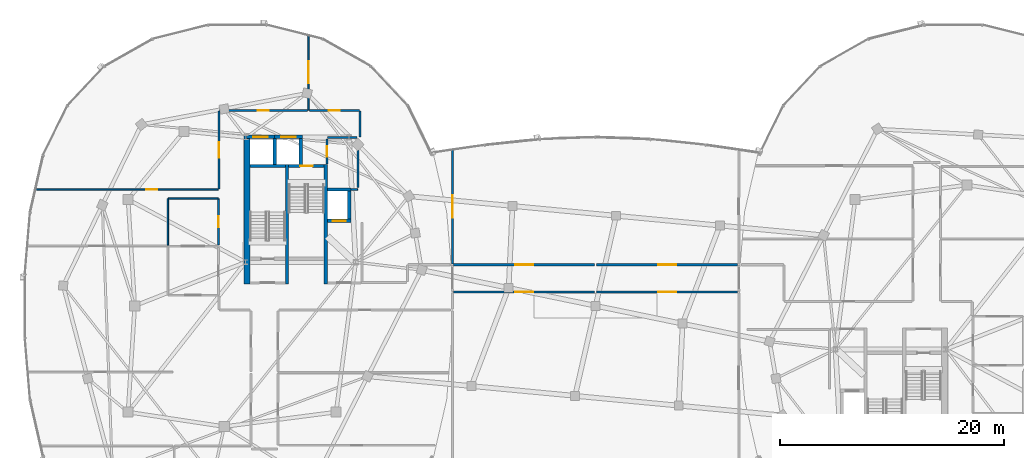
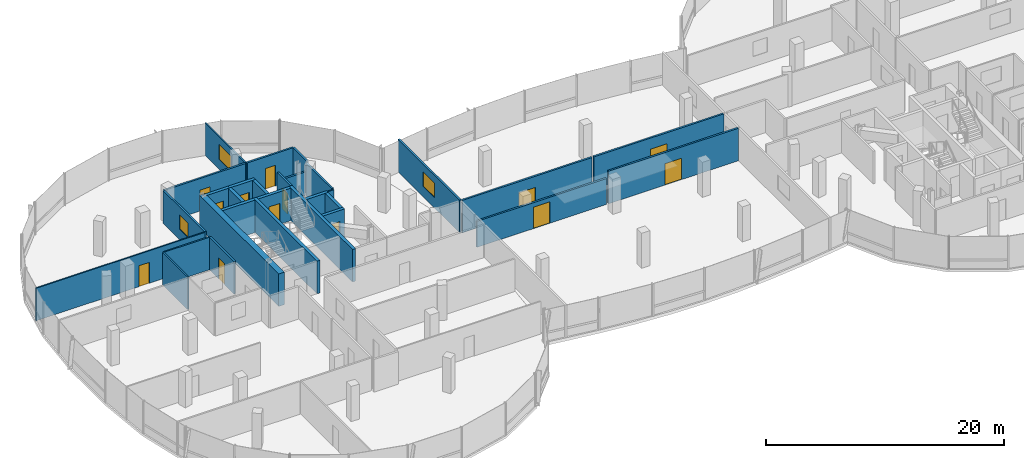
# One storey, part 15 of 26: 30 walls, 13 doors, 3 windows, 16 openings.
"""IFC4 building model written with IfcOpenShell, lengths in metres."""

from ifc_helpers import new_model, si_unit, direction, frame, frame_2d, origin, place, context, subcontext, project, spatial, rectangle, extrude, material, layer, layer_set, type_object, element, fill, save


model = new_model("IFC4")

# Units and contexts
model_context = context("Model", 3, precision=1e-05, world=origin(), true_north=direction((0.0, 1.0)))
body_context = subcontext(model_context, "Body", "Model", "MODEL_VIEW")
ifc_project = project(units=[si_unit("LENGTHUNIT", "METRE"), si_unit("AREAUNIT", "SQUARE_METRE"), si_unit("VOLUMEUNIT", "CUBIC_METRE"), si_unit("PLANEANGLEUNIT", "RADIAN"), si_unit("MASSUNIT", "GRAM", prefix="KILO"), si_unit("THERMODYNAMICTEMPERATUREUNIT", "KELVIN"), si_unit("POWERUNIT", "WATT")], contexts=[model_context])

# Site, building, storey
site_placement = place(None, origin())
site = spatial("IfcSite", under=ifc_project, at=site_placement, CompositionType="ELEMENT")
building_placement = place(site_placement, origin())
building = spatial("IfcBuilding", under=site, at=building_placement, Name="Cundina Bronze Exchange", CompositionType="ELEMENT")
storey_placement = place(building_placement, frame((0.0, 0.0, 243.199951171875)))
storey = spatial("IfcBuildingStorey", under=building, at=storey_placement, Name="L64", CompositionType="ELEMENT", Elevation=243.199951171875)

# Walls
ifc_material_1 = material(Name="Gypsum Fireboard Partition EI120")
ifc_layer_1 = layer(ifc_material_1, 0.179931640625, Name="Gypsum Fireboard Partition EI120")
ifc_layer_set_1 = layer_set([ifc_layer_1], Name="Gypsum Fireboard Partition EI120")
wall_type_1 = type_object("IfcWallType", Name="WL-COR-180", PredefinedType="PARTITIONING", material=ifc_layer_set_1)
wall_1_placement = place(storey_placement, frame((-21.25, 10.570068359375, 0.0), z_axis=(0.0, 0.0, 1.0), x_axis=(0.0, 1.0, 0.0)))
element("IfcWall", 1, at=wall_1_placement, inside=storey, type_object=wall_type_1, Name="L64 Interior Partition 002", PredefinedType="PARTITIONING", context=body_context, shape_type="SweptSolid", body=[
    extrude(rectangle(XDim=4.35986328125, YDim=0.179931640625, at=frame_2d((2.179931640625, 0.0))), origin(), (0.0, 0.0, 1.0), 3.340087890625),
])
wall_2_placement = place(storey_placement, frame((-23.9599609375, 15.030029296875, 0.0), z_axis=(0.0, 0.0, 1.0), x_axis=(1.0, 0.0, 0.0)))
element("IfcWall", 2, at=wall_2_placement, inside=storey, type_object=wall_type_1, Name="L64 Interior Partition 003", PredefinedType="PARTITIONING", context=body_context, shape_type="SweptSolid", body=[
    extrude(rectangle(XDim=2.60986328125, YDim=0.179931640625, at=frame_2d((1.304931640625, 0.0))), origin(), (0.0, 0.0, 1.0), 2.4130859375),
])

# Wall, opening, door
wall_3_placement = place(storey_placement, frame((-24.02001953125, 12.669921875, 0.0), z_axis=(0.0, 0.0, 1.0), x_axis=(0.0, 1.0, 0.0)))
wall_3 = element("IfcWall", 3, at=wall_3_placement, inside=storey, type_object=wall_type_1, Name="L64 Interior Partition 004", PredefinedType="PARTITIONING", context=body_context, shape_type="SweptSolid", body=[
    extrude(rectangle(XDim=2.260009765625, YDim=0.179931640625, at=frame_2d((1.1298828125, 0.0))), origin(), (0.0, 0.0, 1.0), 3.340087890625),
])
opening_1_placement = place(wall_3_placement, frame((0.655029296875, 0.0, 0.0)))
opening_1 = element("IfcOpeningElement", 4, at=opening_1_placement, cuts=wall_3, Name="Opening DW-01", PredefinedType="OPENING", context=body_context, shape_type="SweptSolid", body=[
    extrude(rectangle(XDim=0.949951171875, YDim=2.10009765625, at=frame_2d((0.47509765625, 1.050048828125))), frame((0.0, 0.099853515625, 0.0), z_axis=(0.0, -1.0, 0.0), x_axis=(1.0, 0.0, 0.0)), (0.0, 0.0, 1.0), 0.199951171875),
])
ifc_material_2 = material(Name="Solid Andean Oak Timber Grade A", Category="wood")
door_type_1 = type_object("IfcDoorType", Name="DR-WC-950", OperationType="NOTDEFINED", PredefinedType="DOOR", material=ifc_material_2)
door_1_placement = place(opening_1_placement, origin())
door_1 = element("IfcDoor", 5, at=door_1_placement, inside=storey, type_object=door_type_1, Name="L64 Interior Door 004", OperationType="SINGLE_SWING_LEFT", OverallHeight=2.10009765625, OverallWidth=0.949951171875, PredefinedType="DOOR", context=body_context, shape_type="SweptSolid", body=[
    extrude(rectangle(XDim=0.949951171875, YDim=2.10009765625, at=frame_2d((0.47509765625, 1.050048828125))), frame((0.0, 0.02490234375, 0.0), z_axis=(0.0, -1.0, 0.0), x_axis=(1.0, 0.0, 0.0)), (0.0, 0.0, 1.0), 0.050048828125),
])
fill(opening_1, door_1)

wall_4_placement = place(storey_placement, frame((-33.719970703125, 5.429931640625, 0.0), z_axis=(0.0, 0.0, 1.0), x_axis=(0.0, 1.0, 0.0)))
wall_4 = element("IfcWall", 6, at=wall_4_placement, inside=storey, type_object=wall_type_1, Name="L64 Interior Partition 011", PredefinedType="PARTITIONING", context=body_context, shape_type="SweptSolid", body=[
    extrude(rectangle(XDim=4.16015625, YDim=0.179931640625, at=frame_2d((2.080078125, 0.0))), origin(), (0.0, 0.0, 1.0), 3.340087890625),
])
opening_2_placement = place(wall_4_placement, frame((1.580078125, 0.0, 0.0)))
opening_2 = element("IfcOpeningElement", 7, at=opening_2_placement, cuts=wall_4, Name="Opening DO-01", PredefinedType="OPENING", context=body_context, shape_type="SweptSolid", body=[
    extrude(rectangle(XDim=1.0, YDim=2.14990234375, at=frame_2d((0.5, 1.074951171875))), frame((0.0, 0.099853515625, 0.0), z_axis=(0.0, -1.0, 0.0), x_axis=(1.0, 0.0, 0.0)), (0.0, 0.0, 1.0), 0.199951171875),
])
door_type_2 = type_object("IfcDoorType", Name="DR-OFF-1000", OperationType="NOTDEFINED", PredefinedType="DOOR", material=ifc_material_2)
door_2_placement = place(opening_2_placement, origin())
door_2 = element("IfcDoor", 8, at=door_2_placement, inside=storey, type_object=door_type_2, Name="L64 Interior Door 011", OperationType="SINGLE_SWING_LEFT", OverallHeight=2.14990234375, OverallWidth=1.0, PredefinedType="DOOR", context=body_context, shape_type="SweptSolid", body=[
    extrude(rectangle(XDim=1.0, YDim=2.14990234375, at=frame_2d((0.5, 1.074951171875))), frame((0.0, 0.02490234375, 0.0), z_axis=(0.0, -1.0, 0.0), x_axis=(1.0, 0.0, 0.0)), (0.0, 0.0, 1.0), 0.050048828125),
])
fill(opening_2, door_2)

wall_5_placement = place(storey_placement, frame((-21.12158203125, 17.469970703125, 0.0), z_axis=(0.0, 0.0, 1.0), x_axis=(-1.0, 0.0, 0.0)))
wall_5 = element("IfcWall", 9, at=wall_5_placement, inside=storey, type_object=wall_type_1, Name="L64 Interior Partition 025", PredefinedType="PARTITIONING", context=body_context, shape_type="SweptSolid", body=[
    extrude(rectangle(XDim=4.468505859375, YDim=0.179931640625, at=frame_2d((2.234375, 0.0))), origin(), (0.0, 0.0, 1.0), 3.340087890625),
])
opening_3_placement = place(wall_5_placement, frame((1.734130859375, 0.0, 0.0)))
opening_3 = element("IfcOpeningElement", 10, at=opening_3_placement, cuts=wall_5, Name="Opening DO-01", PredefinedType="OPENING", context=body_context, shape_type="SweptSolid", body=[
    extrude(rectangle(XDim=1.0, YDim=2.14990234375, at=frame_2d((0.5, 1.074951171875))), frame((0.0, 0.099853515625, 0.0), z_axis=(0.0, -1.0, 0.0), x_axis=(1.0, 0.0, 0.0)), (0.0, 0.0, 1.0), 0.199951171875),
])
door_3_placement = place(opening_3_placement, origin())
door_3 = element("IfcDoor", 11, at=door_3_placement, inside=storey, type_object=door_type_2, Name="L64 Interior Door 025", OperationType="SINGLE_SWING_RIGHT", OverallHeight=2.14990234375, OverallWidth=1.0, PredefinedType="DOOR", context=body_context, shape_type="SweptSolid", body=[
    extrude(rectangle(XDim=1.0, YDim=2.14990234375, at=frame_2d((0.5, 1.074951171875))), frame((0.0, 0.02490234375, 0.0), z_axis=(0.0, -1.0, 0.0), x_axis=(1.0, 0.0, 0.0)), (0.0, 0.0, 1.0), 0.050048828125),
])
fill(opening_3, door_3)

# Wall
wall_6_placement = place(storey_placement, frame((-21.080078125, 15.071533203125, 0.0), z_axis=(0.0, 0.0, 1.0), x_axis=(0.0, 1.0, 0.0)))
element("IfcWall", 12, at=wall_6_placement, inside=storey, type_object=wall_type_1, Name="L64 Interior Partition 028", PredefinedType="PARTITIONING", context=body_context, shape_type="SweptSolid", body=[
    extrude(rectangle(XDim=2.35693359375, YDim=0.179931640625, at=frame_2d((1.178466796875, 0.0))), origin(), (0.0, 0.0, 1.0), 3.340087890625),
])

# Wall, opening, door
wall_7_placement = place(storey_placement, frame((-25.77001953125, 17.469970703125, 0.0), z_axis=(0.0, 0.0, 1.0), x_axis=(-1.0, 0.0, 0.0)))
wall_7 = element("IfcWall", 13, at=wall_7_placement, inside=storey, type_object=wall_type_1, Name="L64 Interior Partition 030", PredefinedType="PARTITIONING", context=body_context, shape_type="SweptSolid", body=[
    extrude(rectangle(XDim=7.8583984375, YDim=0.179931640625, at=frame_2d((3.92919921875, 0.0))), origin(), (0.0, 0.0, 1.0), 3.340087890625),
])
opening_4_placement = place(wall_7_placement, frame((3.42919921875, 0.0, 0.0)))
opening_4 = element("IfcOpeningElement", 14, at=opening_4_placement, cuts=wall_7, Name="Opening DO-01", PredefinedType="OPENING", context=body_context, shape_type="SweptSolid", body=[
    extrude(rectangle(XDim=1.0, YDim=2.14990234375, at=frame_2d((0.5, 1.074951171875))), frame((0.0, 0.099853515625, 0.0), z_axis=(0.0, -1.0, 0.0), x_axis=(1.0, 0.0, 0.0)), (0.0, 0.0, 1.0), 0.199951171875),
])
door_4_placement = place(opening_4_placement, origin())
door_4 = element("IfcDoor", 15, at=door_4_placement, inside=storey, type_object=door_type_2, Name="L64 Interior Door 030", OperationType="SINGLE_SWING_LEFT", OverallHeight=2.14990234375, OverallWidth=1.0, PredefinedType="DOOR", context=body_context, shape_type="SweptSolid", body=[
    extrude(rectangle(XDim=1.0, YDim=2.14990234375, at=frame_2d((0.5, 1.074951171875))), frame((0.0, 0.02490234375, 0.0), z_axis=(0.0, -1.0, 0.0), x_axis=(1.0, 0.0, 0.0)), (0.0, 0.0, 1.0), 0.050048828125),
])
fill(opening_4, door_4)

# Wall, opening, window
wall_8_placement = place(storey_placement, frame((-33.669921875, 17.428466796875, 0.0), z_axis=(0.0, 0.0, 1.0), x_axis=(0.0, -1.0, 0.0)))
wall_8 = element("IfcWall", 16, at=wall_8_placement, inside=storey, type_object=wall_type_1, Name="L64 Interior Partition 031", PredefinedType="PARTITIONING", context=body_context, shape_type="SweptSolid", body=[
    extrude(rectangle(XDim=6.978515625, YDim=0.179931640625, at=frame_2d((3.4892578125, 0.0))), origin(), (0.0, 0.0, 1.0), 3.340087890625),
])
opening_5_placement = place(wall_8_placement, frame((2.7890625, 0.0, 1.050048828125)))
opening_5 = element("IfcOpeningElement", 17, at=opening_5_placement, cuts=wall_8, Name="Opening WI-02", PredefinedType="OPENING", context=body_context, shape_type="SweptSolid", body=[
    extrude(rectangle(XDim=1.39990234375, YDim=1.5, at=frame_2d((0.699951171875, 0.75))), frame((0.0, 0.099853515625, 0.0), z_axis=(0.0, -1.0, 0.0), x_axis=(1.0, 0.0, 0.0)), (0.0, 0.0, 1.0), 0.199951171875),
])
ifc_material_3 = material(Name="Clear Low-E Insulating Glass 26mm", Category="glass")
window_type_1 = type_object("IfcWindowType", Name="WN-INT-1400", PartitioningType="SINGLE_PANEL", PredefinedType="WINDOW", material=ifc_material_3)
window_1_placement = place(opening_5_placement, origin())
window_1 = element("IfcWindow", 18, at=window_1_placement, inside=storey, type_object=window_type_1, Name="L64 Interior Acoustic Vision Window 031", OverallHeight=1.5, OverallWidth=1.39990234375, PartitioningType="SINGLE_PANEL", PredefinedType="WINDOW", context=body_context, shape_type="SweptSolid", body=[
    extrude(rectangle(XDim=1.39990234375, YDim=1.5, at=frame_2d((0.699951171875, 0.75))), frame((0.0, 0.030029296875, 0.0), z_axis=(0.0, -1.0, 0.0), x_axis=(1.0, 0.0, 0.0)), (0.0, 0.0, 1.0), 0.06005859375),
])
fill(opening_5, window_1)

# Wall, opening, door
wall_9_placement = place(storey_placement, frame((-12.6884765625, 1.22998046875, 0.0), z_axis=(0.0, 0.0, 1.0), x_axis=(1.0, 0.0, 0.0)))
wall_9 = element("IfcWall", 19, at=wall_9_placement, inside=storey, type_object=wall_type_1, Name="L64 Interior Partition 068", PredefinedType="PARTITIONING", context=body_context, shape_type="SweptSolid", body=[
    extrude(rectangle(XDim=12.593505859375, YDim=0.179931640625, at=frame_2d((6.296875, 0.0))), origin(), (0.0, 0.0, 1.0), 2.6630859375),
])
opening_6_placement = place(wall_9_placement, frame((5.49658203125, 0.0, 0.0)))
opening_6 = element("IfcOpeningElement", 20, at=opening_6_placement, cuts=wall_9, Name="Opening DO-02", PredefinedType="OPENING", context=body_context, shape_type="SweptSolid", body=[
    extrude(rectangle(XDim=1.60009765625, YDim=2.199951171875, at=frame_2d((0.800048828125, 1.10009765625))), frame((0.0, 0.099853515625, 0.0), z_axis=(0.0, -1.0, 0.0), x_axis=(1.0, 0.0, 0.0)), (0.0, 0.0, 1.0), 0.199951171875),
])
door_type_3 = type_object("IfcDoorType", Name="DR-TRD-1600", OperationType="NOTDEFINED", PredefinedType="DOOR", material=ifc_material_2)
door_5_placement = place(opening_6_placement, origin())
door_5 = element("IfcDoor", 21, at=door_5_placement, inside=storey, type_object=door_type_3, Name="L64 Interior Door 068", OperationType="SINGLE_SWING_RIGHT", OverallHeight=2.199951171875, OverallWidth=1.60009765625, PredefinedType="DOOR", context=body_context, shape_type="SweptSolid", body=[
    extrude(rectangle(XDim=1.60009765625, YDim=2.199951171875, at=frame_2d((0.800048828125, 1.10009765625))), frame((0.0, 0.02490234375, 0.0), z_axis=(0.0, -1.0, 0.0), x_axis=(1.0, 0.0, 0.0)), (0.0, 0.0, 1.0), 0.050048828125),
])
fill(opening_6, door_5)

wall_10_placement = place(storey_placement, frame((0.094970703125, 1.22998046875, 0.0), z_axis=(0.0, 0.0, 1.0), x_axis=(1.0, 0.0, 0.0)))
wall_10 = element("IfcWall", 22, at=wall_10_placement, inside=storey, type_object=wall_type_1, Name="L64 Interior Partition 069", PredefinedType="PARTITIONING", context=body_context, shape_type="SweptSolid", body=[
    extrude(rectangle(XDim=12.593505859375, YDim=0.179931640625, at=frame_2d((6.296875, 0.0))), origin(), (0.0, 0.0, 1.0), 3.340087890625),
])
opening_7_placement = place(wall_10_placement, frame((5.49658203125, 0.0, 0.0)))
opening_7 = element("IfcOpeningElement", 23, at=opening_7_placement, cuts=wall_10, Name="Opening DO-02", PredefinedType="OPENING", context=body_context, shape_type="SweptSolid", body=[
    extrude(rectangle(XDim=1.60009765625, YDim=2.199951171875, at=frame_2d((0.800048828125, 1.10009765625))), frame((0.0, 0.099853515625, 0.0), z_axis=(0.0, -1.0, 0.0), x_axis=(1.0, 0.0, 0.0)), (0.0, 0.0, 1.0), 0.199951171875),
])
door_6_placement = place(opening_7_placement, origin())
door_6 = element("IfcDoor", 24, at=door_6_placement, inside=storey, type_object=door_type_3, Name="L64 Interior Door 069", OperationType="SINGLE_SWING_LEFT", OverallHeight=2.199951171875, OverallWidth=1.60009765625, PredefinedType="DOOR", context=body_context, shape_type="SweptSolid", body=[
    extrude(rectangle(XDim=1.60009765625, YDim=2.199951171875, at=frame_2d((0.800048828125, 1.10009765625))), frame((0.0, 0.02490234375, 0.0), z_axis=(0.0, -1.0, 0.0), x_axis=(1.0, 0.0, 0.0)), (0.0, 0.0, 1.0), 0.050048828125),
])
fill(opening_7, door_6)

wall_11_placement = place(storey_placement, frame((-0.094970703125, 3.669921875, 0.0), z_axis=(0.0, 0.0, 1.0), x_axis=(-1.0, 0.0, 0.0)))
wall_11 = element("IfcWall", 25, at=wall_11_placement, inside=storey, type_object=wall_type_1, Name="L64 Interior Partition 070", PredefinedType="PARTITIONING", context=body_context, shape_type="SweptSolid", body=[
    extrude(rectangle(XDim=12.593505859375, YDim=0.179931640625, at=frame_2d((6.296875, 0.0))), origin(), (0.0, 0.0, 1.0), 3.340087890625),
])
opening_8_placement = place(wall_11_placement, frame((5.49658203125, 0.0, 0.0)))
opening_8 = element("IfcOpeningElement", 26, at=opening_8_placement, cuts=wall_11, Name="Opening DO-02", PredefinedType="OPENING", context=body_context, shape_type="SweptSolid", body=[
    extrude(rectangle(XDim=1.60009765625, YDim=2.199951171875, at=frame_2d((0.800048828125, 1.10009765625))), frame((0.0, 0.099853515625, 0.0), z_axis=(0.0, -1.0, 0.0), x_axis=(1.0, 0.0, 0.0)), (0.0, 0.0, 1.0), 0.199951171875),
])
door_7_placement = place(opening_8_placement, origin())
door_7 = element("IfcDoor", 27, at=door_7_placement, inside=storey, type_object=door_type_3, Name="L64 Interior Door 070", OperationType="SINGLE_SWING_RIGHT", OverallHeight=2.199951171875, OverallWidth=1.60009765625, PredefinedType="DOOR", context=body_context, shape_type="SweptSolid", body=[
    extrude(rectangle(XDim=1.60009765625, YDim=2.199951171875, at=frame_2d((0.800048828125, 1.10009765625))), frame((0.0, 0.02490234375, 0.0), z_axis=(0.0, -1.0, 0.0), x_axis=(1.0, 0.0, 0.0)), (0.0, 0.0, 1.0), 0.050048828125),
])
fill(opening_8, door_7)

wall_12_placement = place(storey_placement, frame((12.6884765625, 3.669921875, 0.0), z_axis=(0.0, 0.0, 1.0), x_axis=(-1.0, 0.0, 0.0)))
wall_12 = element("IfcWall", 28, at=wall_12_placement, inside=storey, type_object=wall_type_1, Name="L64 Interior Partition 071", PredefinedType="PARTITIONING", context=body_context, shape_type="SweptSolid", body=[
    extrude(rectangle(XDim=12.593505859375, YDim=0.179931640625, at=frame_2d((6.296875, 0.0))), origin(), (0.0, 0.0, 1.0), 3.340087890625),
])
opening_9_placement = place(wall_12_placement, frame((5.49658203125, 0.0, 0.0)))
opening_9 = element("IfcOpeningElement", 29, at=opening_9_placement, cuts=wall_12, Name="Opening DO-02", PredefinedType="OPENING", context=body_context, shape_type="SweptSolid", body=[
    extrude(rectangle(XDim=1.60009765625, YDim=2.199951171875, at=frame_2d((0.800048828125, 1.10009765625))), frame((0.0, 0.099853515625, 0.0), z_axis=(0.0, -1.0, 0.0), x_axis=(1.0, 0.0, 0.0)), (0.0, 0.0, 1.0), 0.199951171875),
])
door_8_placement = place(opening_9_placement, origin())
door_8 = element("IfcDoor", 30, at=door_8_placement, inside=storey, type_object=door_type_3, Name="L64 Interior Door 071", OperationType="SINGLE_SWING_LEFT", OverallHeight=2.199951171875, OverallWidth=1.60009765625, PredefinedType="DOOR", context=body_context, shape_type="SweptSolid", body=[
    extrude(rectangle(XDim=1.60009765625, YDim=2.199951171875, at=frame_2d((0.800048828125, 1.10009765625))), frame((0.0, 0.02490234375, 0.0), z_axis=(0.0, -1.0, 0.0), x_axis=(1.0, 0.0, 0.0)), (0.0, 0.0, 1.0), 0.050048828125),
])
fill(opening_9, door_8)

# Wall, opening, window
wall_13_placement = place(storey_placement, frame((-12.800048828125, 3.739990234375, 0.0), z_axis=(0.0, 0.0, 1.0), x_axis=(0.0, 1.0, 0.0)))
wall_13 = element("IfcWall", 31, at=wall_13_placement, inside=storey, type_object=wall_type_1, Name="L64 Interior Partition 074", PredefinedType="PARTITIONING", context=body_context, shape_type="SweptSolid", body=[
    extrude(rectangle(XDim=10.3037109375, YDim=0.179931640625, at=frame_2d((5.15185546875, 0.0))), origin(), (0.0, 0.0, 1.0), 3.340087890625),
])
opening_10_placement = place(wall_13_placement, frame((4.152099609375, 0.0, 1.050048828125)))
opening_10 = element("IfcOpeningElement", 32, at=opening_10_placement, cuts=wall_13, Name="Opening WI-01", PredefinedType="OPENING", context=body_context, shape_type="SweptSolid", body=[
    extrude(rectangle(XDim=2.0, YDim=1.5, at=frame_2d((1.0, 0.75))), frame((0.0, 0.099853515625, 0.0), z_axis=(0.0, -1.0, 0.0), x_axis=(1.0, 0.0, 0.0)), (0.0, 0.0, 1.0), 0.199951171875),
])
window_type_2 = type_object("IfcWindowType", Name="WN-INT-2000", PartitioningType="SINGLE_PANEL", PredefinedType="WINDOW", material=ifc_material_3)
window_2_placement = place(opening_10_placement, origin())
window_2 = element("IfcWindow", 33, at=window_2_placement, inside=storey, type_object=window_type_2, Name="L64 Interior Acoustic Vision Window 074", OverallHeight=1.5, OverallWidth=2.0, PartitioningType="SINGLE_PANEL", PredefinedType="WINDOW", context=body_context, shape_type="SweptSolid", body=[
    extrude(rectangle(XDim=2.0, YDim=1.5, at=frame_2d((1.0, 0.75))), frame((0.0, 0.030029296875, 0.0), z_axis=(0.0, -1.0, 0.0), x_axis=(1.0, 0.0, 0.0)), (0.0, 0.0, 1.0), 0.06005859375),
])
fill(opening_10, window_2)

# Wall
ifc_material_4 = material(Name="Concrete C50/60", Category="concrete")
ifc_layer_2 = layer(ifc_material_4, 0.550048828125, Name="Concrete C50/60", Category="concrete")
ifc_layer_set_2 = layer_set([ifc_layer_2], Name="Concrete C50/60")
wall_type_2 = type_object("IfcWallType", Name="WL-CORE-550", PredefinedType="SHEAR", material=ifc_layer_set_2)
wall_14_placement = place(storey_placement, frame((-31.175048828125, 1.969970703125, 0.0), z_axis=(0.0, 0.0, 1.0), x_axis=(0.0, 1.0, 0.0)))
element("IfcWall", 34, at=wall_14_placement, inside=storey, type_object=wall_type_2, Name="L64 W Primary Core Shear Spine Wall", PredefinedType="SHEAR", context=body_context, shape_type="SweptSolid", body=[
    extrude(rectangle(XDim=13.330078125, YDim=0.550048828125, at=frame_2d((6.6650390625, 0.0))), origin(), (0.0, 0.0, 1.0), 3.340087890625),
])

# Wall, opening, window
ifc_material_5 = material(Name="Gypsum Acoustic Partition EI60")
ifc_layer_3 = layer(ifc_material_5, 0.125, Name="Gypsum Acoustic Partition EI60")
ifc_layer_set_3 = layer_set([ifc_layer_3], Name="Gypsum Acoustic Partition EI60")
wall_type_3 = type_object("IfcWallType", Name="WL-OFF-125", PredefinedType="PARTITIONING", material=ifc_layer_set_3)
wall_15_placement = place(storey_placement, frame((-25.679931640625, 17.5, 0.0), z_axis=(0.0, 0.0, 1.0), x_axis=(0.0, 1.0, 0.0)))
wall_15 = element("IfcWall", 35, at=wall_15_placement, inside=storey, type_object=wall_type_3, Name="L64 Interior Partition 016", PredefinedType="PARTITIONING", context=body_context, shape_type="SweptSolid", body=[
    extrude(rectangle(XDim=6.759765625, YDim=0.125, at=frame_2d((3.3798828125, 0.0))), origin(), (0.0, 0.0, 1.0), 3.340087890625),
])
opening_11_placement = place(wall_15_placement, frame((2.3798828125, 0.0, 1.050048828125)))
opening_11 = element("IfcOpeningElement", 36, at=opening_11_placement, cuts=wall_15, Name="Opening WI-01", PredefinedType="OPENING", context=body_context, shape_type="SweptSolid", body=[
    extrude(rectangle(XDim=2.0, YDim=1.5, at=frame_2d((1.0, 0.75))), frame((0.0, 0.072509765625, 0.0), z_axis=(0.0, -1.0, 0.0), x_axis=(1.0, 0.0, 0.0)), (0.0, 0.0, 1.0), 0.14501953125),
])
window_3_placement = place(opening_11_placement, origin())
window_3 = element("IfcWindow", 37, at=window_3_placement, inside=storey, type_object=window_type_2, Name="L64 Interior Acoustic Vision Window 016", OverallHeight=1.5, OverallWidth=2.0, PartitioningType="SINGLE_PANEL", PredefinedType="WINDOW", context=body_context, shape_type="SweptSolid", body=[
    extrude(rectangle(XDim=2.0, YDim=1.5, at=frame_2d((1.0, 0.75))), frame((0.0, 0.030029296875, 0.0), z_axis=(0.0, -1.0, 0.0), x_axis=(1.0, 0.0, 0.0)), (0.0, 0.0, 1.0), 0.06005859375),
])
fill(opening_11, window_3)

# Wall, opening, door
wall_16_placement = place(storey_placement, frame((-50.1455078125, 10.409912109375, 0.0), z_axis=(0.0, 0.0, 1.0), x_axis=(1.0, 0.0, 0.0)))
wall_16 = element("IfcWall", 38, at=wall_16_placement, inside=storey, type_object=wall_type_3, Name="L64 Interior Partition 035", PredefinedType="PARTITIONING", context=body_context, shape_type="SweptSolid", body=[
    extrude(rectangle(XDim=16.3955078125, YDim=0.125, at=frame_2d((8.19775390625, 0.0))), origin(), (0.0, 0.0, 1.0), 3.340087890625),
])
opening_12_placement = place(wall_16_placement, frame((9.97119140625, 0.0, 0.0)))
opening_12 = element("IfcOpeningElement", 39, at=opening_12_placement, cuts=wall_16, Name="Opening DO-01", PredefinedType="OPENING", context=body_context, shape_type="SweptSolid", body=[
    extrude(rectangle(XDim=1.0, YDim=2.14990234375, at=frame_2d((0.5, 1.074951171875))), frame((0.0, 0.072509765625, 0.0), z_axis=(0.0, -1.0, 0.0), x_axis=(1.0, 0.0, 0.0)), (0.0, 0.0, 1.0), 0.14501953125),
])
door_9_placement = place(opening_12_placement, origin())
door_9 = element("IfcDoor", 40, at=door_9_placement, inside=storey, type_object=door_type_2, Name="L64 Interior Door 035", OperationType="SINGLE_SWING_RIGHT", OverallHeight=2.14990234375, OverallWidth=1.0, PredefinedType="DOOR", context=body_context, shape_type="SweptSolid", body=[
    extrude(rectangle(XDim=1.0, YDim=2.14990234375, at=frame_2d((0.5, 1.074951171875))), frame((0.0, 0.02490234375, 0.0), z_axis=(0.0, -1.0, 0.0), x_axis=(1.0, 0.0, 0.0)), (0.0, 0.0, 1.0), 0.050048828125),
])
fill(opening_12, door_9)

# Walls
ifc_layer_4 = layer(ifc_material_4, 0.300048828125, Name="Concrete C50/60", Category="concrete")
ifc_layer_set_4 = layer_set([ifc_layer_4], Name="Concrete C50/60")
wall_type_4 = type_object("IfcWallType", Name="WL-SHFT-300", PredefinedType="SHEAR", material=ifc_layer_set_4)
for number, where, z_axis, x_axis, name in (
    (41, (-27.590087890625, 1.969970703125, 0.0), (0.0, 0.0, 1.0), (0.0, 1.0, 0.0), "L64 W Stair Shaft Dividing Shear Wall"),
    (42, (-24.1298828125, 1.969970703125, 0.0), (0.0, 0.0, 1.0), (0.0, 1.0, 0.0), "L64 W Stair 2 East Shear Wall"),
):
    element("IfcWall", number, at=place(storey_placement, frame(where, z_axis=z_axis, x_axis=x_axis)), inside=storey, type_object=wall_type_4, Name=name, PredefinedType="SHEAR", context=body_context, shape_type="SweptSolid", body=[
        extrude(rectangle(XDim=10.679931640625, YDim=0.300048828125, at=frame_2d((5.33984375, 0.0))), origin(), (0.0, 0.0, 1.0), 3.340087890625),
    ])
wall_17_placement = place(storey_placement, frame((-30.89990234375, 12.5, 0.0), z_axis=(0.0, 0.0, 1.0), x_axis=(1.0, 0.0, 0.0)))
element("IfcWall", 43, at=wall_17_placement, inside=storey, type_object=wall_type_4, Name="L64 Stair W1 Far Shaft Wall", PredefinedType="SHEAR", context=body_context, shape_type="SweptSolid", body=[
    extrude(rectangle(XDim=3.159912109375, YDim=0.300048828125, at=frame_2d((1.580078125, 0.0))), origin(), (0.0, 0.0, 1.0), 3.340087890625),
])

# Wall, opening, door
wall_18_placement = place(storey_placement, frame((-27.43994140625, 12.5, 0.0), z_axis=(0.0, 0.0, 1.0), x_axis=(1.0, 0.0, 0.0)))
wall_18 = element("IfcWall", 44, at=wall_18_placement, inside=storey, type_object=wall_type_4, Name="L64 Stair W2 Landing Wall", PredefinedType="SHEAR", context=body_context, shape_type="SweptSolid", body=[
    extrude(rectangle(XDim=3.159912109375, YDim=0.300048828125, at=frame_2d((1.580078125, 0.0))), origin(), (0.0, 0.0, 1.0), 3.340087890625),
])
opening_13_placement = place(wall_18_placement, frame((1.030029296875, 0.0, 0.0)))
opening_13 = element("IfcOpeningElement", 45, at=opening_13_placement, cuts=wall_18, Name="Opening DS-01", PredefinedType="OPENING", context=body_context, shape_type="SweptSolid", body=[
    extrude(rectangle(XDim=1.10009765625, YDim=2.14990234375, at=frame_2d((0.550048828125, 1.074951171875))), frame((0.0, 0.159912109375, 0.0), z_axis=(0.0, -1.0, 0.0), x_axis=(1.0, 0.0, 0.0)), (0.0, 0.0, 1.0), 0.320068359375),
])
ifc_material_6 = material(Name="Steel ASTM A36 Painted", Category="steel")
door_type_4 = type_object("IfcDoorType", Name="DR-STR-1100", OperationType="NOTDEFINED", PredefinedType="DOOR", material=ifc_material_6)
door_10_placement = place(opening_13_placement, origin())
door_10 = element("IfcDoor", 46, at=door_10_placement, inside=storey, type_object=door_type_4, Name="L64 Smokeproof Stair W2 Door", OperationType="SINGLE_SWING_LEFT", OverallHeight=2.14990234375, OverallWidth=1.10009765625, PredefinedType="DOOR", context=body_context, shape_type="SweptSolid", body=[
    extrude(rectangle(XDim=1.10009765625, YDim=2.14990234375, at=frame_2d((0.550048828125, 1.074951171875))), frame((0.0, 0.02490234375, 0.0), z_axis=(0.0, -1.0, 0.0), x_axis=(1.0, 0.0, 0.0)), (0.0, 0.0, 1.0), 0.050048828125),
])
fill(opening_13, door_10)

wall_19_placement = place(storey_placement, frame((-23.97998046875, 7.60009765625, 0.0), z_axis=(0.0, 0.0, 1.0), x_axis=(1.0, 0.0, 0.0)))
wall_19 = element("IfcWall", 47, at=wall_19_placement, inside=storey, type_object=wall_type_4, Name="L64 FFL-W Hoistway Front Wall", PredefinedType="SHEAR", context=body_context, shape_type="SweptSolid", body=[
    extrude(rectangle(XDim=2.10009765625, YDim=0.300048828125, at=frame_2d((1.050048828125, 0.0))), origin(), (0.0, 0.0, 1.0), 3.340087890625),
])
opening_14_placement = place(wall_19_placement, frame((0.47509765625, 0.0, 0.0)))
opening_14 = element("IfcOpeningElement", 48, at=opening_14_placement, cuts=wall_19, Name="Opening LD-01", PredefinedType="OPENING", context=body_context, shape_type="SweptSolid", body=[
    extrude(rectangle(XDim=1.14990234375, YDim=2.199951171875, at=frame_2d((0.574951171875, 1.10009765625))), frame((0.0, 0.159912109375, 0.0), z_axis=(0.0, -1.0, 0.0), x_axis=(1.0, 0.0, 0.0)), (0.0, 0.0, 1.0), 0.320068359375),
])
door_type_5 = type_object("IfcDoorType", Name="DR-LND-1150", OperationType="NOTDEFINED", PredefinedType="TRAPDOOR", material=ifc_material_6)
door_11_placement = place(opening_14_placement, origin())
door_11 = element("IfcDoor", 49, at=door_11_placement, inside=storey, type_object=door_type_5, Name="L64 FFL-W Sliding Landing Door", OperationType="SLIDING_TO_LEFT", OverallHeight=2.199951171875, OverallWidth=1.14990234375, PredefinedType="TRAPDOOR", context=body_context, shape_type="SweptSolid", body=[
    extrude(rectangle(XDim=1.14990234375, YDim=2.199951171875, at=frame_2d((0.574951171875, 1.10009765625))), frame((0.0, 0.02490234375, 0.0), z_axis=(0.0, -1.0, 0.0), x_axis=(1.0, 0.0, 0.0)), (0.0, 0.0, 1.0), 0.050048828125),
])
fill(opening_14, door_11)

# Walls
wall_20_placement = place(storey_placement, frame((-23.97998046875, 10.39990234375, 0.0), z_axis=(0.0, 0.0, 1.0), x_axis=(1.0, 0.0, 0.0)))
element("IfcWall", 50, at=wall_20_placement, inside=storey, type_object=wall_type_4, Name="L64 FFL-W Hoistway Back Wall", PredefinedType="SHEAR", context=body_context, shape_type="SweptSolid", body=[
    extrude(rectangle(XDim=2.10009765625, YDim=0.300048828125, at=frame_2d((1.050048828125, 0.0))), origin(), (0.0, 0.0, 1.0), 3.340087890625),
])
wall_21_placement = place(storey_placement, frame((-22.030029296875, 7.75, 0.0), z_axis=(0.0, 0.0, 1.0), x_axis=(0.0, 1.0, 0.0)))
element("IfcWall", 51, at=wall_21_placement, inside=storey, type_object=wall_type_4, Name="L64 FFL-W Hoistway Side Wall", PredefinedType="SHEAR", context=body_context, shape_type="SweptSolid", body=[
    extrude(rectangle(XDim=2.5, YDim=0.300048828125, at=frame_2d((1.25, 0.0))), origin(), (0.0, 0.0, 1.0), 3.340087890625),
])

# Wall, opening, door
wall_22_placement = place(storey_placement, frame((-31.199951171875, 15.10009765625, 0.0), z_axis=(0.0, 0.0, 1.0), x_axis=(1.0, 0.0, 0.0)))
wall_22 = element("IfcWall", 52, at=wall_22_placement, inside=storey, type_object=wall_type_4, Name="L64 PH-W1 Hoistway Front Wall", PredefinedType="SHEAR", context=body_context, shape_type="SweptSolid", body=[
    extrude(rectangle(XDim=2.5, YDim=0.300048828125, at=frame_2d((1.25, 0.0))), origin(), (0.0, 0.0, 1.0), 3.340087890625),
])
opening_15_placement = place(wall_22_placement, frame((0.60009765625, 0.0, 0.0)))
opening_15 = element("IfcOpeningElement", 53, at=opening_15_placement, cuts=wall_22, Name="Opening LD-02", PredefinedType="OPENING", context=body_context, shape_type="SweptSolid", body=[
    extrude(rectangle(XDim=1.300048828125, YDim=2.199951171875, at=frame_2d((0.64990234375, 1.10009765625))), frame((0.0, 0.159912109375, 0.0), z_axis=(0.0, -1.0, 0.0), x_axis=(1.0, 0.0, 0.0)), (0.0, 0.0, 1.0), 0.320068359375),
])
door_type_6 = type_object("IfcDoorType", Name="DR-LND-1300", OperationType="NOTDEFINED", PredefinedType="TRAPDOOR", material=ifc_material_6)
door_12_placement = place(opening_15_placement, origin())
door_12 = element("IfcDoor", 54, at=door_12_placement, inside=storey, type_object=door_type_6, Name="L64 PH-W1 Sliding Landing Door", OperationType="SLIDING_TO_LEFT", OverallHeight=2.199951171875, OverallWidth=1.300048828125, PredefinedType="TRAPDOOR", context=body_context, shape_type="SweptSolid", body=[
    extrude(rectangle(XDim=1.300048828125, YDim=2.199951171875, at=frame_2d((0.64990234375, 1.10009765625))), frame((0.0, 0.02490234375, 0.0), z_axis=(0.0, -1.0, 0.0), x_axis=(1.0, 0.0, 0.0)), (0.0, 0.0, 1.0), 0.050048828125),
])
fill(opening_15, door_12)

# Wall
wall_23_placement = place(storey_placement, frame((-28.699951171875, 12.64990234375, 0.0), z_axis=(0.0, 0.0, 1.0), x_axis=(0.0, 1.0, 0.0)))
element("IfcWall", 55, at=wall_23_placement, inside=storey, type_object=wall_type_4, Name="L64 PH-W1 Hoistway Divider Wall", PredefinedType="SHEAR", context=body_context, shape_type="SweptSolid", body=[
    extrude(rectangle(XDim=2.300048828125, YDim=0.300048828125, at=frame_2d((1.14990234375, 0.0))), origin(), (0.0, 0.0, 1.0), 3.340087890625),
])

# Wall, opening, door
wall_24_placement = place(storey_placement, frame((-28.699951171875, 15.10009765625, 0.0), z_axis=(0.0, 0.0, 1.0), x_axis=(1.0, 0.0, 0.0)))
wall_24 = element("IfcWall", 56, at=wall_24_placement, inside=storey, type_object=wall_type_4, Name="L64 PH-W2 Hoistway Front Wall", PredefinedType="SHEAR", context=body_context, shape_type="SweptSolid", body=[
    extrude(rectangle(XDim=2.5, YDim=0.300048828125, at=frame_2d((1.25, 0.0))), origin(), (0.0, 0.0, 1.0), 3.340087890625),
])
opening_16_placement = place(wall_24_placement, frame((0.60009765625, 0.0, 0.0)))
opening_16 = element("IfcOpeningElement", 57, at=opening_16_placement, cuts=wall_24, Name="Opening LD-02", PredefinedType="OPENING", context=body_context, shape_type="SweptSolid", body=[
    extrude(rectangle(XDim=1.300048828125, YDim=2.199951171875, at=frame_2d((0.64990234375, 1.10009765625))), frame((0.0, 0.159912109375, 0.0), z_axis=(0.0, -1.0, 0.0), x_axis=(1.0, 0.0, 0.0)), (0.0, 0.0, 1.0), 0.320068359375),
])
door_13_placement = place(opening_16_placement, origin())
door_13 = element("IfcDoor", 58, at=door_13_placement, inside=storey, type_object=door_type_6, Name="L64 PH-W2 Sliding Landing Door", OperationType="SLIDING_TO_LEFT", OverallHeight=2.199951171875, OverallWidth=1.300048828125, PredefinedType="TRAPDOOR", context=body_context, shape_type="SweptSolid", body=[
    extrude(rectangle(XDim=1.300048828125, YDim=2.199951171875, at=frame_2d((0.64990234375, 1.10009765625))), frame((0.0, 0.02490234375, 0.0), z_axis=(0.0, -1.0, 0.0), x_axis=(1.0, 0.0, 0.0)), (0.0, 0.0, 1.0), 0.050048828125),
])
fill(opening_16, door_13)

# Walls
wall_25_placement = place(storey_placement, frame((-26.35009765625, 12.64990234375, 0.0), z_axis=(0.0, 0.0, 1.0), x_axis=(0.0, 1.0, 0.0)))
element("IfcWall", 59, at=wall_25_placement, inside=storey, type_object=wall_type_4, Name="L64 PH-W2 Hoistway Divider Wall", PredefinedType="SHEAR", context=body_context, shape_type="SweptSolid", body=[
    extrude(rectangle(XDim=2.300048828125, YDim=0.300048828125, at=frame_2d((1.14990234375, 0.0))), origin(), (0.0, 0.0, 1.0), 3.340087890625),
])
ifc_material_7 = material(Name="Moisture-Resistant Masonry Block Grade M15", Category="masonry")
ifc_layer_5 = layer(ifc_material_7, 0.139892578125, Name="Moisture-Resistant Masonry Block Grade M15", Category="masonry")
ifc_layer_set_5 = layer_set([ifc_layer_5], Name="Moisture-Resistant Masonry Block Grade M15")
wall_type_5 = type_object("IfcWallType", Name="WL-WET-140", PredefinedType="PARTITIONING", material=ifc_layer_set_5)
wall_26_placement = place(storey_placement, frame((-21.860107421875, 10.39990234375, 0.0), z_axis=(0.0, 0.0, 1.0), x_axis=(1.0, 0.0, 0.0)))
element("IfcWall", 60, at=wall_26_placement, inside=storey, type_object=wall_type_5, Name="L64 Interior Partition 001", PredefinedType="PARTITIONING", context=body_context, shape_type="SweptSolid", body=[
    extrude(rectangle(XDim=0.590087890625, YDim=0.139892578125, at=frame_2d((0.294921875, 0.0))), origin(), (0.0, 0.0, 1.0), 3.340087890625),
])
wall_27_placement = place(storey_placement, frame((-38.239990234375, 5.4150390625, 0.0), z_axis=(0.0, 0.0, 1.0), x_axis=(0.0, 1.0, 0.0)))
element("IfcWall", 61, at=wall_27_placement, inside=storey, type_object=wall_type_5, Name="L64 Interior Partition 006", PredefinedType="PARTITIONING", context=body_context, shape_type="SweptSolid", body=[
    extrude(rectangle(XDim=4.175048828125, YDim=0.139892578125, at=frame_2d((2.08740234375, 0.0))), origin(), (0.0, 0.0, 1.0), 3.340087890625),
])
wall_28_placement = place(storey_placement, frame((-38.219970703125, 9.610107421875, 0.0), z_axis=(0.0, 0.0, 1.0), x_axis=(1.0, 0.0, 0.0)))
element("IfcWall", 62, at=wall_28_placement, inside=storey, type_object=wall_type_5, Name="L64 Interior Partition 009", PredefinedType="PARTITIONING", context=body_context, shape_type="SweptSolid", body=[
    extrude(rectangle(XDim=4.47998046875, YDim=0.139892578125, at=frame_2d((2.239990234375, 0.0))), origin(), (0.0, 0.0, 1.0), 3.340087890625),
])

save(model, "model.ifc")
